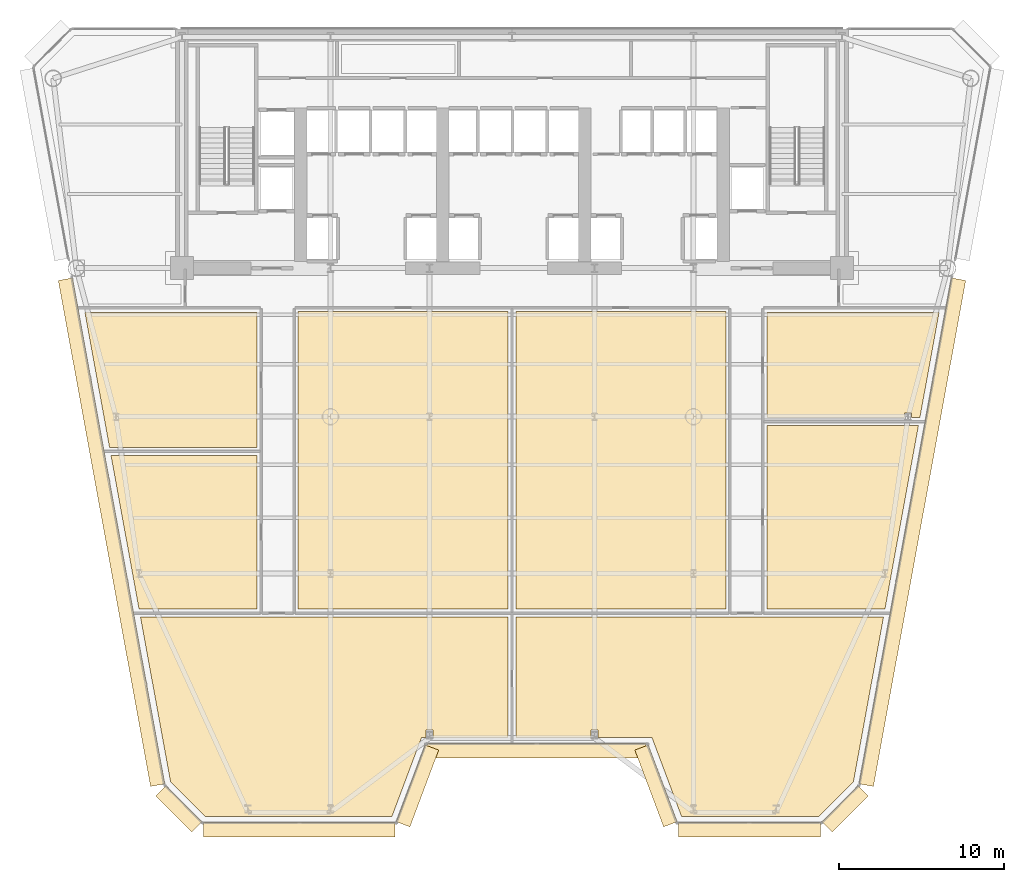
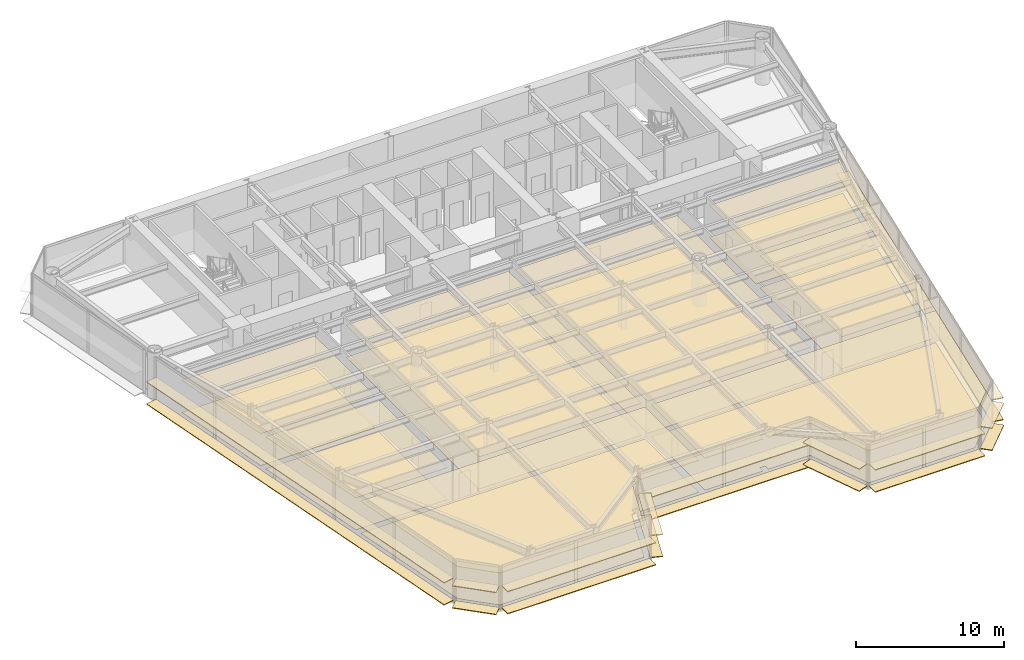
# One storey, part 11 of 14: 34 coverings.
"""IFC4 building model written with IfcOpenShell, lengths in metres."""

from ifc_helpers import new_model, si_unit, direction, frame, origin, origin_2d, place, context, subcontext, project, spatial, polyline, rectangle, outline, extrude, source, transform, mapped, material, layer, layer_set, type_object, element, save


model = new_model("IFC4")

# Units and contexts
model_context = context("Model", 3, precision=1e-05, world=origin(), true_north=direction((0.0, 1.0)))
body_context = subcontext(model_context, "Body", "Model", "MODEL_VIEW")
ifc_project = project(units=[si_unit("LENGTHUNIT", "METRE"), si_unit("AREAUNIT", "SQUARE_METRE"), si_unit("VOLUMEUNIT", "CUBIC_METRE"), si_unit("PLANEANGLEUNIT", "RADIAN"), si_unit("MASSUNIT", "GRAM", prefix="KILO")], contexts=[model_context])

# Site, building, storey
site_placement = place(None, origin())
site = spatial("IfcSite", under=ifc_project, at=site_placement, CompositionType="ELEMENT")
building_placement = place(site_placement, origin())
building = spatial("IfcBuilding", under=site, at=building_placement, Name="Vaeldorn Concourse Tower", CompositionType="ELEMENT")
storey_placement = place(building_placement, frame((0.0, 0.0, 99.60009765625)))
storey = spatial("IfcBuildingStorey", under=building, at=storey_placement, Name="L25", CompositionType="ELEMENT", Elevation=99.60009765625)

# Coverings
ifc_material_1 = material(Name="Acoustic Mineral Fibre Board", Category="gypsum")
ifc_layer_1 = layer(ifc_material_1, 0.0400390625)
ifc_layer_set_1 = layer_set([ifc_layer_1], Name="Acoustic Mineral Fibre Board")
covering_type_1 = type_object("IfcCoveringType", Name="COV-CEIL-ACOUSTIC", PredefinedType="CEILING", material=ifc_layer_set_1)
covering_1_placement = place(storey_placement, frame((0.0, 0.0, 2.64990234375)))
element("IfcCovering", 1, at=covering_1_placement, inside=storey, type_object=covering_type_1, Name="Suspended Acoustic Ceiling L25-5", PredefinedType="CEILING", context=body_context, shape_type="SweptSolid", body=[
    extrude(outline(polyline([(18.56005859375, 25.159912109375), (18.56005859375, 15.840087890625), (11.4013671875, 15.840087890625), (9.701171875, 25.159912109375), (18.56005859375, 25.159912109375)])), origin(), (0.0, 0.0, 1.0), 0.0400390625),
])
covering_2_placement = place(storey_placement, frame((0.0, 0.0, 2.64990234375)))
element("IfcCovering", 2, at=covering_2_placement, inside=storey, type_object=covering_type_1, Name="Suspended Acoustic Ceiling L25-6", PredefinedType="CEILING", context=body_context, shape_type="SweptSolid", body=[
    extrude(outline(polyline([(18.56005859375, 33.800048828125), (18.56005859375, 25.639892578125), (9.613525390625, 25.639892578125), (8.125, 33.800048828125), (18.56005859375, 33.800048828125)])), origin(), (0.0, 0.0, 1.0), 0.0400390625),
])
covering_3_placement = place(storey_placement, frame((0.0, 0.0, 2.64990234375)))
element("IfcCovering", 3, at=covering_3_placement, inside=storey, type_object=covering_type_1, Name="Suspended Acoustic Ceiling L25-7", PredefinedType="CEILING", context=body_context, shape_type="SweptSolid", body=[
    extrude(outline(polyline([(49.43994140625, 15.840087890625), (49.43994140625, 26.9599609375), (58.627197265625, 26.9599609375), (56.5986328125, 15.840087890625), (49.43994140625, 15.840087890625)])), origin(), (0.0, 0.0, 1.0), 0.0400390625),
])
covering_4_placement = place(storey_placement, frame((0.0, 0.0, 2.64990234375)))
element("IfcCovering", 4, at=covering_4_placement, inside=storey, type_object=covering_type_1, Name="Suspended Acoustic Ceiling L25-8", PredefinedType="CEILING", context=body_context, shape_type="SweptSolid", body=[
    extrude(outline(polyline([(49.43994140625, 33.800048828125), (59.875, 33.800048828125), (58.71484375, 27.43994140625), (58.2119140625, 27.43994140625), (58.2119140625, 27.737060546875), (57.7880859375, 27.737060546875), (57.7880859375, 27.43994140625), (49.43994140625, 27.43994140625), (49.43994140625, 33.800048828125)])), origin(), (0.0, 0.0, 1.0), 0.0400390625),
])
covering_5_placement = place(storey_placement, frame((0.0, 0.0, 2.64990234375)))
element("IfcCovering", 5, at=covering_5_placement, inside=storey, type_object=covering_type_1, Name="Suspended Acoustic Ceiling L25-9", PredefinedType="CEILING", context=body_context, shape_type="SweptSolid", body=[
    extrude(outline(polyline([(21.0400390625, 33.860107421875), (33.760009765625, 33.860107421875), (33.760009765625, 15.840087890625), (21.0400390625, 15.840087890625), (21.0400390625, 33.860107421875)])), origin(), (0.0, 0.0, 1.0), 0.0400390625),
])
covering_6_placement = place(storey_placement, frame((0.0, 0.0, 2.64990234375)))
element("IfcCovering", 6, at=covering_6_placement, inside=storey, type_object=covering_type_1, Name="Suspended Acoustic Ceiling L25-10", PredefinedType="CEILING", context=body_context, shape_type="SweptSolid", body=[
    extrude(outline(polyline([(34.239990234375, 33.860107421875), (46.9599609375, 33.860107421875), (46.9599609375, 15.840087890625), (34.239990234375, 15.840087890625), (34.239990234375, 33.860107421875)])), origin(), (0.0, 0.0, 1.0), 0.0400390625),
])
covering_7_placement = place(storey_placement, frame((0.0, 0.0, 2.64990234375)))
element("IfcCovering", 7, at=covering_7_placement, inside=storey, type_object=covering_type_1, Name="Suspended Acoustic Ceiling L25-11", PredefinedType="CEILING", context=body_context, shape_type="SweptSolid", body=[
    extrude(outline(polyline([(33.760009765625, 15.360107421875), (33.760009765625, 8.06884765625), (29.2119140625, 8.06884765625), (29.2119140625, 8.505859375), (28.7880859375, 8.505859375), (28.7880859375, 8.06884765625), (28.522705078125, 8.06884765625), (26.722900390625, 3.268798828125), (15.4072265625, 3.268798828125), (13.312744140625, 5.363525390625), (11.489013671875, 15.360107421875), (33.760009765625, 15.360107421875)])), origin(), (0.0, 0.0, 1.0), 0.0400390625),
])
covering_8_placement = place(storey_placement, frame((0.0, 0.0, 2.64990234375)))
element("IfcCovering", 8, at=covering_8_placement, inside=storey, type_object=covering_type_1, Name="Suspended Acoustic Ceiling L25-12", PredefinedType="CEILING", context=body_context, shape_type="SweptSolid", body=[
    extrude(outline(polyline([(34.239990234375, 15.360107421875), (56.510986328125, 15.360107421875), (54.687255859375, 5.363525390625), (52.5927734375, 3.268798828125), (44.277099609375, 3.268798828125), (42.477294921875, 8.06884765625), (39.2119140625, 8.06884765625), (39.2119140625, 8.505859375), (38.7880859375, 8.505859375), (38.7880859375, 8.06884765625), (34.239990234375, 8.06884765625), (34.239990234375, 15.360107421875)])), origin(), (0.0, 0.0, 1.0), 0.0400390625),
])
ifc_material_2 = material(Name="Honed Limestone Terrazzo Flooring", Category="masonry")
ifc_layer_2 = layer(ifc_material_2, 0.0400390625)
ifc_layer_set_2 = layer_set([ifc_layer_2], Name="Honed Limestone Terrazzo Flooring")
covering_type_2 = type_object("IfcCoveringType", Name="COV-FLOOR-STONE", PredefinedType="FLOORING", material=ifc_layer_set_2)
covering_9_placement = place(storey_placement, origin())
element("IfcCovering", 9, at=covering_9_placement, inside=storey, type_object=covering_type_2, Name="Floor Finish Covering L25-5", PredefinedType="FLOORING", context=body_context, shape_type="SweptSolid", body=[
    extrude(outline(polyline([(18.56005859375, 25.159912109375), (18.56005859375, 15.840087890625), (11.4013671875, 15.840087890625), (9.701171875, 25.159912109375), (18.56005859375, 25.159912109375)])), origin(), (0.0, 0.0, 1.0), 0.02978515625),
])
covering_10_placement = place(storey_placement, origin())
element("IfcCovering", 10, at=covering_10_placement, inside=storey, type_object=covering_type_2, Name="Floor Finish Covering L25-6", PredefinedType="FLOORING", context=body_context, shape_type="SweptSolid", body=[
    extrude(outline(polyline([(18.56005859375, 33.800048828125), (18.56005859375, 25.639892578125), (9.613525390625, 25.639892578125), (8.125, 33.800048828125), (18.56005859375, 33.800048828125)])), origin(), (0.0, 0.0, 1.0), 0.02978515625),
])
covering_11_placement = place(storey_placement, origin())
element("IfcCovering", 11, at=covering_11_placement, inside=storey, type_object=covering_type_2, Name="Floor Finish Covering L25-7", PredefinedType="FLOORING", context=body_context, shape_type="SweptSolid", body=[
    extrude(outline(polyline([(49.43994140625, 15.840087890625), (49.43994140625, 26.9599609375), (58.627197265625, 26.9599609375), (56.5986328125, 15.840087890625), (49.43994140625, 15.840087890625)])), origin(), (0.0, 0.0, 1.0), 0.02978515625),
])
covering_12_placement = place(storey_placement, origin())
element("IfcCovering", 12, at=covering_12_placement, inside=storey, type_object=covering_type_2, Name="Floor Finish Covering L25-8", PredefinedType="FLOORING", context=body_context, shape_type="SweptSolid", body=[
    extrude(outline(polyline([(49.43994140625, 33.800048828125), (59.875, 33.800048828125), (58.71484375, 27.43994140625), (58.2119140625, 27.43994140625), (58.2119140625, 27.737060546875), (57.7880859375, 27.737060546875), (57.7880859375, 27.43994140625), (49.43994140625, 27.43994140625), (49.43994140625, 33.800048828125)])), origin(), (0.0, 0.0, 1.0), 0.02978515625),
])
covering_13_placement = place(storey_placement, origin())
element("IfcCovering", 13, at=covering_13_placement, inside=storey, type_object=covering_type_2, Name="Floor Finish Covering L25-9", PredefinedType="FLOORING", context=body_context, shape_type="SweptSolid", body=[
    extrude(outline(polyline([(21.0400390625, 33.860107421875), (33.760009765625, 33.860107421875), (33.760009765625, 15.840087890625), (21.0400390625, 15.840087890625), (21.0400390625, 33.860107421875)])), origin(), (0.0, 0.0, 1.0), 0.02978515625),
])
covering_14_placement = place(storey_placement, origin())
element("IfcCovering", 14, at=covering_14_placement, inside=storey, type_object=covering_type_2, Name="Floor Finish Covering L25-10", PredefinedType="FLOORING", context=body_context, shape_type="SweptSolid", body=[
    extrude(outline(polyline([(34.239990234375, 33.860107421875), (46.9599609375, 33.860107421875), (46.9599609375, 15.840087890625), (34.239990234375, 15.840087890625), (34.239990234375, 33.860107421875)])), origin(), (0.0, 0.0, 1.0), 0.02978515625),
])
covering_15_placement = place(storey_placement, origin())
element("IfcCovering", 15, at=covering_15_placement, inside=storey, type_object=covering_type_2, Name="Floor Finish Covering L25-11", PredefinedType="FLOORING", context=body_context, shape_type="SweptSolid", body=[
    extrude(outline(polyline([(33.760009765625, 15.360107421875), (33.760009765625, 8.06884765625), (29.2119140625, 8.06884765625), (29.2119140625, 8.505859375), (28.7880859375, 8.505859375), (28.7880859375, 8.06884765625), (28.522705078125, 8.06884765625), (26.722900390625, 3.268798828125), (15.4072265625, 3.268798828125), (13.312744140625, 5.363525390625), (11.489013671875, 15.360107421875), (33.760009765625, 15.360107421875)])), origin(), (0.0, 0.0, 1.0), 0.02978515625),
])
covering_16_placement = place(storey_placement, origin())
element("IfcCovering", 16, at=covering_16_placement, inside=storey, type_object=covering_type_2, Name="Floor Finish Covering L25-12", PredefinedType="FLOORING", context=body_context, shape_type="SweptSolid", body=[
    extrude(outline(polyline([(34.239990234375, 15.360107421875), (56.510986328125, 15.360107421875), (54.687255859375, 5.363525390625), (52.5927734375, 3.268798828125), (44.277099609375, 3.268798828125), (42.477294921875, 8.06884765625), (39.2119140625, 8.06884765625), (39.2119140625, 8.505859375), (38.7880859375, 8.505859375), (38.7880859375, 8.06884765625), (34.239990234375, 8.06884765625), (34.239990234375, 15.360107421875)])), origin(), (0.0, 0.0, 1.0), 0.02978515625),
])
ifc_material_3 = material(Name="Anodised Bronze Aluminium", Category="aluminium")
ifc_layer_3 = layer(ifc_material_3, 0.06494140625)
ifc_layer_set_3 = layer_set([ifc_layer_3], Name="Anodised Bronze Aluminium")
covering_type_3 = type_object("IfcCoveringType", Name="SD-BRONZE-SUNSHADE", PredefinedType="USERDEFINED", material=ifc_layer_set_3)
shared_shape_1 = source(origin(), body_context, "Body", "SweptSolid", [
    extrude(rectangle(XDim=4.96630859375, YDim=0.8798828125, at=origin_2d()), origin(), (0.0, 0.0, 1.0), 0.06494140625),
])
for number, where, z_axis, x_axis, name in (
    (17, (28.2744140625, 5.12841796875, 0.04736328125), (0.0, 0.0, 1.0), (0.351122702609, 0.936329454686, 0.0), "Horizontal Bronze Sunshade L25-E02.1.1"),
    (18, (28.2744140625, 5.12841796875, 1.867431640625), (0.0, 0.0, 1.0), (0.351122702609, 0.936329454686, 0.0), "Horizontal Bronze Sunshade L25-E02.1.2"),
    (19, (42.7255859375, 5.12841796875, 0.04736328125), (0.0, 0.0, 1.0), (0.351122702609, -0.936329454686, 0.0), "Horizontal Bronze Sunshade L25-E04.1.1"),
    (20, (42.7255859375, 5.12841796875, 1.867431640625), (0.0, 0.0, 1.0), (0.351122702609, -0.936329454686, 0.0), "Horizontal Bronze Sunshade L25-E04.1.2"),
):
    element("IfcCovering", number, at=place(storey_placement, frame(where, z_axis=z_axis, x_axis=x_axis)), inside=storey, type_object=covering_type_3, Name=name, ObjectType="SUNSHADE", PredefinedType="USERDEFINED", context=body_context, shape_type="MappedRepresentation", body=[
        mapped(shared_shape_1, transform((0.0, 0.0, 0.0), scale=1.0)),
    ])
shared_shape_2 = source(origin(), body_context, "Body", "SweptSolid", [
    extrude(rectangle(XDim=13.239990234375, YDim=0.8798828125, at=origin_2d()), origin(), (0.0, 0.0, 1.0), 0.06494140625),
])
for number, where, z_axis, x_axis, name in (
    (21, (35.5, 7.268798828125, 0.04736328125), (0.0, 0.0, 1.0), (1.0, 0.0, 0.0), "Horizontal Bronze Sunshade L25-E03.1.1"),
    (22, (35.5, 7.268798828125, 1.867431640625), (0.0, 0.0, 1.0), (1.0, 0.0, 0.0), "Horizontal Bronze Sunshade L25-E03.1.2"),
):
    element("IfcCovering", number, at=place(storey_placement, frame(where, z_axis=z_axis, x_axis=x_axis)), inside=storey, type_object=covering_type_3, Name=name, ObjectType="SUNSHADE", PredefinedType="USERDEFINED", context=body_context, shape_type="MappedRepresentation", body=[
        mapped(shared_shape_2, transform((0.0, 0.0, 0.0), scale=1.0)),
    ])
shared_shape_3 = source(origin(), body_context, "Body", "SweptSolid", [
    extrude(rectangle(XDim=3.0927734375, YDim=0.8798828125, at=origin_2d()), origin(), (0.0, 0.0, 1.0), 0.06494140625),
])
for number, where, z_axis, x_axis, name in (
    (23, (54.191162109375, 3.736083984375, 0.04736328125), (0.0, 0.0, 1.0), (0.707106781187, 0.707106781187, 0.0), "Horizontal Bronze Sunshade L25-E06.1.1"),
    (24, (54.191162109375, 3.736083984375, 1.867431640625), (0.0, 0.0, 1.0), (0.707106781187, 0.707106781187, 0.0), "Horizontal Bronze Sunshade L25-E06.1.2"),
    (25, (13.808837890625, 3.736083984375, 0.04736328125), (0.0, 0.0, 1.0), (0.707106781187, -0.707106781187, 0.0), "Horizontal Bronze Sunshade L25-E12.1.1"),
    (26, (13.808837890625, 3.736083984375, 1.867431640625), (0.0, 0.0, 1.0), (0.707106781187, -0.707106781187, 0.0), "Horizontal Bronze Sunshade L25-E12.1.2"),
):
    element("IfcCovering", number, at=place(storey_placement, frame(where, z_axis=z_axis, x_axis=x_axis)), inside=storey, type_object=covering_type_3, Name=name, ObjectType="SUNSHADE", PredefinedType="USERDEFINED", context=body_context, shape_type="MappedRepresentation", body=[
        mapped(shared_shape_3, transform((0.0, 0.0, 0.0), scale=1.0)),
    ])
shared_shape_4 = source(origin(), body_context, "Body", "SweptSolid", [
    extrude(rectangle(XDim=11.598388671875, YDim=0.8798828125, at=origin_2d()), origin(), (0.0, 0.0, 1.0), 0.06494140625),
])
for number, where, z_axis, x_axis, name in (
    (27, (21.120849609375, 2.468994140625, 0.04736328125), (0.0, 0.0, 1.0), (1.0, 0.0, 0.0), "Horizontal Bronze Sunshade L25-E01.1.1"),
    (28, (21.120849609375, 2.468994140625, 1.867431640625), (0.0, 0.0, 1.0), (1.0, 0.0, 0.0), "Horizontal Bronze Sunshade L25-E01.1.2"),
):
    element("IfcCovering", number, at=place(storey_placement, frame(where, z_axis=z_axis, x_axis=x_axis)), inside=storey, type_object=covering_type_3, Name=name, ObjectType="SUNSHADE", PredefinedType="USERDEFINED", context=body_context, shape_type="MappedRepresentation", body=[
        mapped(shared_shape_4, transform((0.0, 0.0, 0.0), scale=1.0)),
    ])
shared_shape_5 = source(origin(), body_context, "Body", "SweptSolid", [
    extrude(rectangle(XDim=8.598388671875, YDim=0.8798828125, at=origin_2d()), origin(), (0.0, 0.0, 1.0), 0.06494140625),
])
for number, where, z_axis, x_axis, name in (
    (29, (48.379150390625, 2.468994140625, 0.04736328125), (0.0, 0.0, 1.0), (1.0, 0.0, 0.0), "Horizontal Bronze Sunshade L25-E05.1.1"),
    (30, (48.379150390625, 2.468994140625, 1.867431640625), (0.0, 0.0, 1.0), (1.0, 0.0, 0.0), "Horizontal Bronze Sunshade L25-E05.1.2"),
):
    element("IfcCovering", number, at=place(storey_placement, frame(where, z_axis=z_axis, x_axis=x_axis)), inside=storey, type_object=covering_type_3, Name=name, ObjectType="SUNSHADE", PredefinedType="USERDEFINED", context=body_context, shape_type="MappedRepresentation", body=[
        mapped(shared_shape_5, transform((0.0, 0.0, 0.0), scale=1.0)),
    ])
shared_shape_6 = source(origin(), body_context, "Body", "SweptSolid", [
    extrude(rectangle(XDim=31.16162109375, YDim=0.8798828125, at=origin_2d()), origin(), (0.0, 0.0, 1.0), 0.06494140625),
])
for number, where, z_axis, x_axis, name in (
    (31, (58.2626953125, 20.503662109375, 0.04736328125), (0.0, 0.0, 1.0), (0.179471882945, 0.983763103207, 0.0), "Horizontal Bronze Sunshade L25-E07.1.1"),
    (32, (58.2626953125, 20.503662109375, 1.867431640625), (0.0, 0.0, 1.0), (0.179471882945, 0.983763103207, 0.0), "Horizontal Bronze Sunshade L25-E07.1.2"),
    (33, (9.7373046875, 20.503662109375, 0.04736328125), (0.0, 0.0, 1.0), (0.179471882945, -0.983763103207, 0.0), "Horizontal Bronze Sunshade L25-E11.2.1"),
    (34, (9.7373046875, 20.503662109375, 1.867431640625), (0.0, 0.0, 1.0), (0.179471882945, -0.983763103207, 0.0), "Horizontal Bronze Sunshade L25-E11.2.2"),
):
    element("IfcCovering", number, at=place(storey_placement, frame(where, z_axis=z_axis, x_axis=x_axis)), inside=storey, type_object=covering_type_3, Name=name, ObjectType="SUNSHADE", PredefinedType="USERDEFINED", context=body_context, shape_type="MappedRepresentation", body=[
        mapped(shared_shape_6, transform((0.0, 0.0, 0.0), scale=1.0)),
    ])

save(model, "model.ifc")
